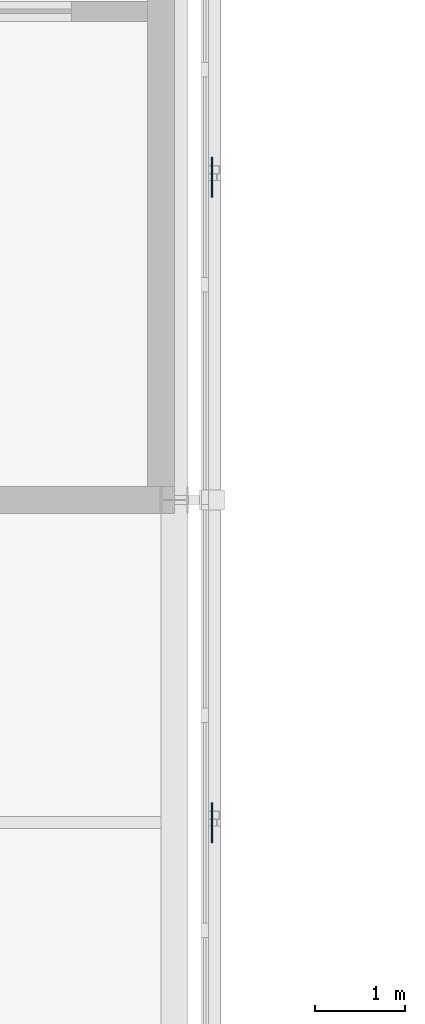
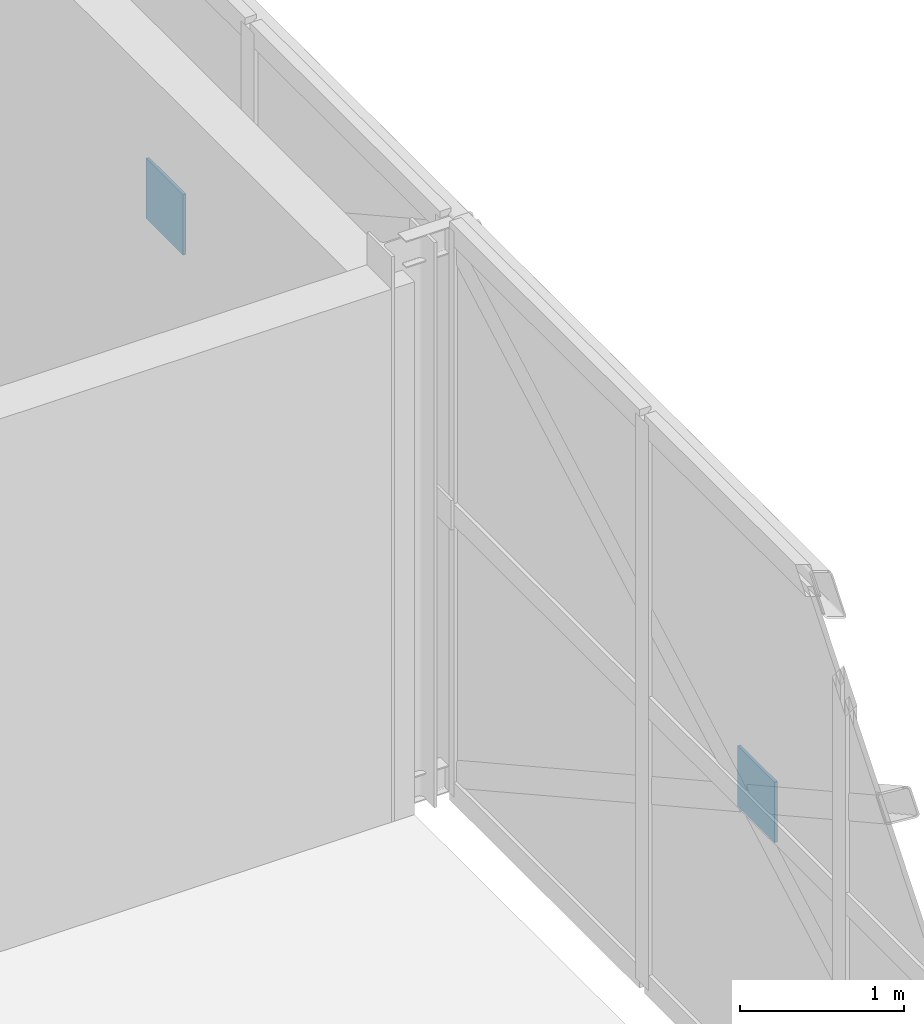
# One storey, part 86 of 126: 2 plates.
"""IFC4 building model written with IfcOpenShell, lengths in metres."""

from ifc_helpers import new_model, si_unit, direction, frame, origin, origin_2d, place, context, subcontext, project, spatial, rectangle, extrude, material, layer, layer_set, type_object, element, save


model = new_model("IFC4")

# Units and contexts
model_context = context("Model", 3, precision=1e-05, world=origin(), true_north=direction((0.0, 1.0)))
body_context = subcontext(model_context, "Body", "Model", "MODEL_VIEW")
ifc_project = project(units=[si_unit("LENGTHUNIT", "METRE"), si_unit("AREAUNIT", "SQUARE_METRE"), si_unit("VOLUMEUNIT", "CUBIC_METRE"), si_unit("PLANEANGLEUNIT", "RADIAN"), si_unit("MASSUNIT", "GRAM", prefix="KILO")], contexts=[model_context])

# Site, building, storey
site_placement = place(None, origin())
site = spatial("IfcSite", under=ifc_project, at=site_placement, CompositionType="ELEMENT")
building_placement = place(site_placement, origin())
building = spatial("IfcBuilding", under=site, at=building_placement, Name="Zlatovets Crest Museum", CompositionType="ELEMENT")
storey_placement = place(building_placement, frame((0.0, 0.0, 8.699951171875)))
storey = spatial("IfcBuildingStorey", under=building, at=storey_placement, Name="L02", CompositionType="ELEMENT", Elevation=8.699951171875)

# Plates
ifc_material = material(Name="Structural steel S355J2", Category="steel")
ifc_layer = layer(ifc_material, 0.02001953125)
ifc_layer_set = layer_set([ifc_layer], Name="Structural steel S355J2")
plate_type = type_object("IfcPlateType", Name="Gusset_GP-04", PredefinedType="USERDEFINED", material=ifc_layer_set)
for number, where, z_axis, x_axis, name in (
    (1, (36.419921875, 54.0, 1.875), (0.0, 0.0, 1.0), (1.0, 0.0, 0.0), "X-Brace Crossing Node Gusset Plate GP-04"),
    (2, (36.419921875, 61.199951171875, 1.875), (0.0, 0.0, 1.0), (1.0, 0.0, 0.0), "X-Brace Crossing Node Gusset Plate GP-04"),
):
    element("IfcPlate", number, at=place(storey_placement, frame(where, z_axis=z_axis, x_axis=x_axis)), inside=storey, type_object=plate_type, Name=name, ObjectType="GUSSET", PredefinedType="USERDEFINED", context=body_context, shape_type="SweptSolid", body=[
        extrude(rectangle(XDim=0.02001953125, YDim=0.449951171875, at=origin_2d()), origin(), (0.0, 0.0, 1.0), 0.449951171875),
    ])

save(model, "model.ifc")
